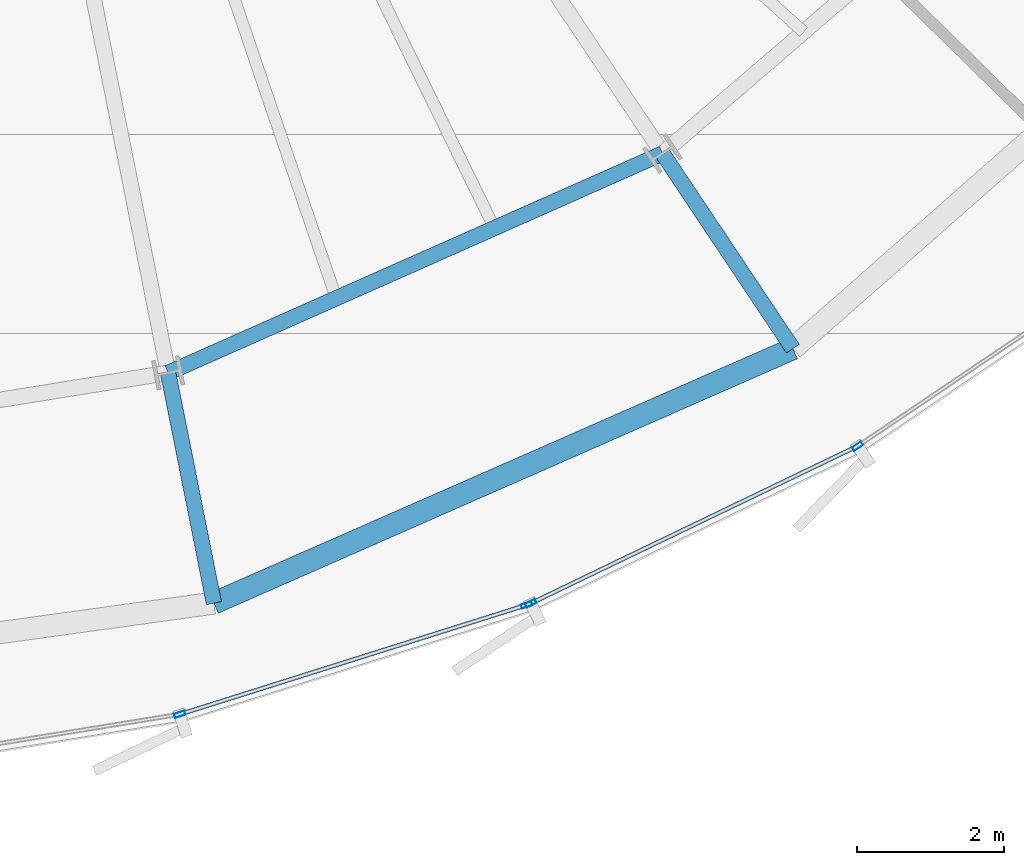
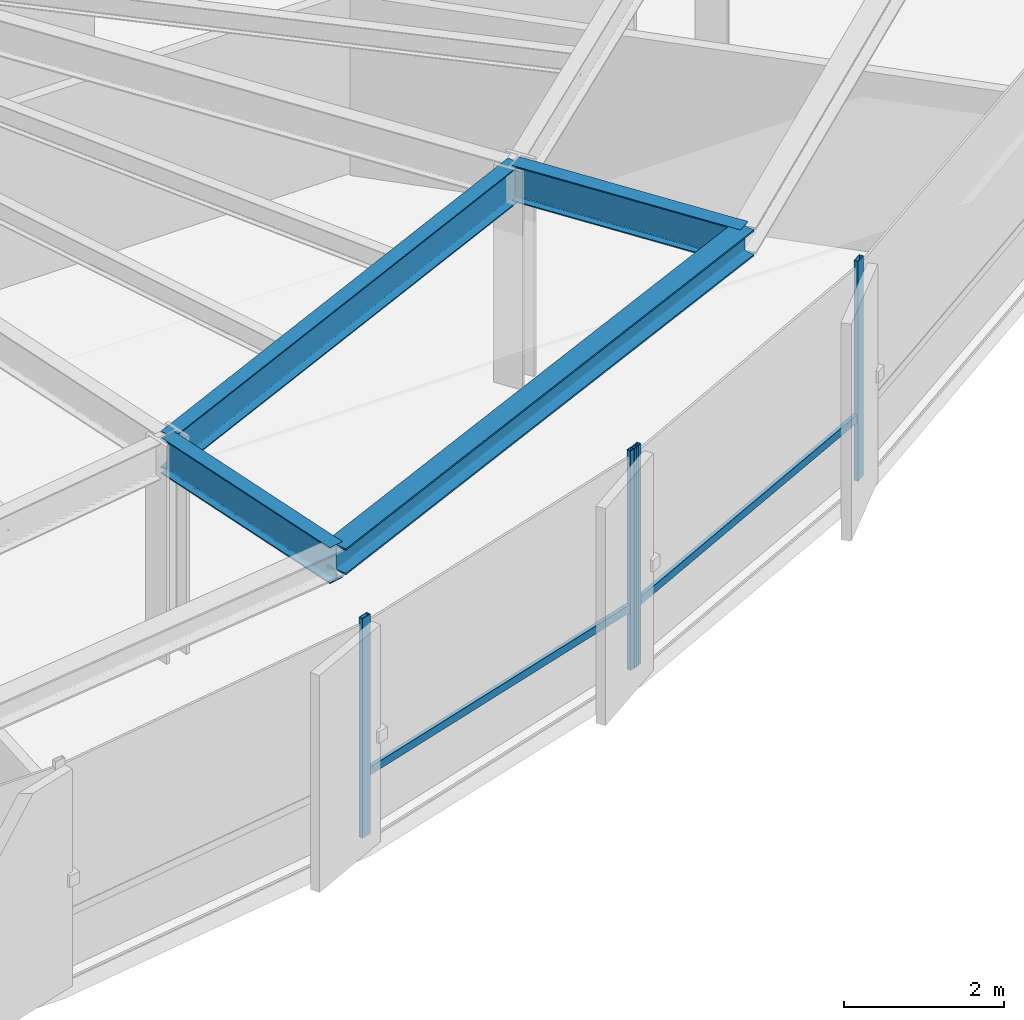
# One storey, part 11 of 35: 6 members, 4 beams, 2 elements without a shape of their own.
"""IFC4 building model written with IfcOpenShell, lengths in metres."""

import ifcopenshell
import ifcopenshell.guid

model = None  # the IFC model being written
_history = None  # IfcOwnerHistory: only IFC2X3 demands one
_inside = {}  # id of a spatial element -> (the spatial element, [elements in it])
_under = {}  # id of a project, library or spatial element -> (it, [spatial elements below it])
_declared = {}  # id of a project -> (the project, [libraries it declares])
_typed = {}  # id of a type object -> (the type object, [elements of that type])
_made_of = {}  # id of a material, layer set ... -> (it, [elements and type objects made of it])


def new_model(schema):
    """Start an empty IFC model of exactly this schema.

    Asked for "IFC4X3", IfcOpenShell would pick the latest addendum, in which some entities
    have other attributes; the version numbers below select the first issue.
    IFC2X3 requires an IfcOwnerHistory on every rooted entity: one is made here for all.
    """
    global model, _history
    if schema == "IFC4X3":
        model = ifcopenshell.file(schema_version=(4, 3, 0, 0))
    else:
        model = ifcopenshell.file(schema=schema)
    _inside.clear()
    _under.clear()
    _declared.clear()
    _typed.clear()
    _made_of.clear()
    _history = None
    if model.schema == "IFC2X3":
        org = make("IfcOrganization", Name="unknown")
        user = make(
            "IfcPersonAndOrganization",
            ThePerson=make("IfcPerson", FamilyName="unknown"),
            TheOrganization=org,
        )
        app = make(
            "IfcApplication",
            ApplicationDeveloper=org,
            Version="unknown",
            ApplicationFullName="unknown",
            ApplicationIdentifier="unknown",
        )
        _history = make(
            "IfcOwnerHistory",
            OwningUser=user,
            OwningApplication=app,
            ChangeAction="ADDED",
            CreationDate=0,
        )
    return model


def make(cls, **values):
    """One entity of the class cls with the attributes given. An attribute that is None is left unset."""
    return model.create_entity(
        cls, **{name: value for name, value in values.items() if value is not None}
    )


def rooted(cls, **values):
    """An entity with a GlobalId (a new one), such as an element, a storey or a relation."""
    return make(cls, GlobalId=ifcopenshell.guid.new(), OwnerHistory=_history, **values)


def si_unit(unit_type, name, prefix=None):
    """IfcSIUnit, for example si_unit("LENGTHUNIT", "METRE", prefix="MILLI")."""
    return make("IfcSIUnit", UnitType=unit_type, Prefix=prefix, Name=name)


def assignment(units):
    """IfcUnitAssignment: the units of a project."""
    return None if units is None else make("IfcUnitAssignment", Units=units)


def point(xyz):
    """IfcCartesianPoint."""
    return None if xyz is None else make("IfcCartesianPoint", Coordinates=xyz)


def direction(xyz):
    """IfcDirection."""
    return None if xyz is None else make("IfcDirection", DirectionRatios=xyz)


def frame(location, z_axis=None, x_axis=None):
    """IfcAxis2Placement3D, a coordinate frame: its origin and axes. An axis left out is left unset."""
    return make(
        "IfcAxis2Placement3D",
        Location=point(location),
        Axis=direction(z_axis),
        RefDirection=direction(x_axis),
    )


def frame_2d(location, x_axis=None):
    """IfcAxis2Placement2D, a coordinate frame in the plane: its origin and x axis."""
    return make(
        "IfcAxis2Placement2D", Location=point(location), RefDirection=direction(x_axis)
    )


def origin():
    """The frame at (0, 0, 0) with its axes left unset."""
    return frame((0.0, 0.0, 0.0))


def origin_2d():
    """The frame at (0, 0) in the plane with its x axis left unset."""
    return frame_2d((0.0, 0.0))


def place(relative_to, where):
    """IfcLocalPlacement: puts the frame where relative to a parent placement (None: the world)."""
    return make(
        "IfcLocalPlacement", PlacementRelTo=relative_to, RelativePlacement=where
    )


def context(
    kind, dimensions, precision=None, world=None, true_north=None, identifier=None
):
    """IfcGeometricRepresentationContext, for example the 3D "Model" context."""
    return make(
        "IfcGeometricRepresentationContext",
        ContextIdentifier=identifier,
        ContextType=kind,
        CoordinateSpaceDimension=dimensions,
        Precision=precision,
        WorldCoordinateSystem=world,
        TrueNorth=true_north,
    )


def subcontext(parent, identifier, kind, view, scale=None):
    """IfcGeometricRepresentationSubContext, for example "Body" below "Model"."""
    return make(
        "IfcGeometricRepresentationSubContext",
        ContextIdentifier=identifier,
        ContextType=kind,
        ParentContext=parent,
        TargetScale=scale,
        TargetView=view,
    )


def project(units=None, contexts=None):
    """IfcProject with its units and contexts."""
    return rooted(
        "IfcProject",
        Name="project",
        RepresentationContexts=contexts,
        UnitsInContext=assignment(units),
    )


def spatial(cls, under=None, at=None, **own):
    """A site, building, storey or space (cls), placed at a placement, below another one or the project."""
    s = rooted(cls, ObjectPlacement=at, **own)
    if under is not None:
        _under.setdefault(under.id(), (under, []))[1].append(s)
    return s


def profile(cls, at=None, kind="AREA", **sizes):
    """A parametric profile (cls). Its sizes go by their IFC names, for example OverallWidth=200.0."""
    return make(cls, ProfileType=kind, Position=at, **sizes)


def hollow_rectangle(**sizes):
    """IfcRectangleHollowProfileDef."""
    return profile("IfcRectangleHollowProfileDef", **sizes)


def i_section(**sizes):
    """IfcIShapeProfileDef."""
    return profile("IfcIShapeProfileDef", **sizes)


def extrude(swept, where, along, depth):
    """IfcExtrudedAreaSolid: the profile swept, set in the frame where, extruded along a direction by depth."""
    return make(
        "IfcExtrudedAreaSolid",
        SweptArea=swept,
        Position=where,
        ExtrudedDirection=direction(along),
        Depth=depth,
    )


def shape(context_of_items, identifier, shape_type, items):
    """IfcShapeRepresentation: the items that make up one representation, for example the "Body"."""
    return make(
        "IfcShapeRepresentation",
        ContextOfItems=context_of_items,
        RepresentationIdentifier=identifier,
        RepresentationType=shape_type,
        Items=items,
    )


def source(mapping_origin, context_of_items, identifier, shape_type, items):
    """IfcRepresentationMap: a shape defined once, which mapped items show again and again."""
    return make(
        "IfcRepresentationMap",
        MappingOrigin=mapping_origin,
        MappedRepresentation=shape(context_of_items, identifier, shape_type, items),
    )


def transform(
    local_origin,
    x_axis=None,
    y_axis=None,
    z_axis=None,
    scale=None,
    scale2=None,
    scale3=None,
    uniform=True,
):
    """IfcCartesianTransformationOperator3D, or its non-uniform kind. x_axis, y_axis, z_axis: its Axis1, 2, 3."""
    if uniform:
        return make(
            "IfcCartesianTransformationOperator3D",
            Axis1=direction(x_axis),
            Axis2=direction(y_axis),
            LocalOrigin=point(local_origin),
            Scale=scale,
            Axis3=direction(z_axis),
        )
    return make(
        "IfcCartesianTransformationOperator3DnonUniform",
        Axis1=direction(x_axis),
        Axis2=direction(y_axis),
        LocalOrigin=point(local_origin),
        Scale=scale,
        Axis3=direction(z_axis),
        Scale2=scale2,
        Scale3=scale3,
    )


def mapped(mapping_source, mapping_target):
    """IfcMappedItem: shows the shape of a source again, moved by a transform."""
    return make(
        "IfcMappedItem", MappingSource=mapping_source, MappingTarget=mapping_target
    )


def material(Name=None, Category=None):
    """IfcMaterial."""
    return make("IfcMaterial", Name=Name, Category=Category)


def layer(
    of_material, thickness, ventilated=None, Name=None, Category=None, Priority=None
):
    """IfcMaterialLayer: one layer of a wall or slab, of a material (None: an air gap)."""
    return make(
        "IfcMaterialLayer",
        Material=of_material,
        LayerThickness=thickness,
        IsVentilated=ventilated,
        Name=Name,
        Category=Category,
        Priority=Priority,
    )


def layer_set(layers, Name=None):
    """IfcMaterialLayerSet."""
    return make("IfcMaterialLayerSet", MaterialLayers=layers, LayerSetName=Name)


def material_profile(
    of_material, cross_section, Name=None, Category=None, Priority=None
):
    """IfcMaterialProfile: a cross section and its material."""
    return make(
        "IfcMaterialProfile",
        Name=Name,
        Material=of_material,
        Profile=cross_section,
        Priority=Priority,
        Category=Category,
    )


def profile_set(profiles, Name=None, composite=None):
    """IfcMaterialProfileSet."""
    return make(
        "IfcMaterialProfileSet",
        Name=Name,
        MaterialProfiles=profiles,
        CompositeProfile=composite,
    )


def made_of(thing, what):
    """Note that an element or type object is made of a material, layer set ...; save() writes the relation."""
    if what is not None:
        _made_of.setdefault(what.id(), (what, []))[1].append(thing)
    return thing


def type_object(cls, material=None, **own):
    """A type object (cls), such as IfcWallType, which elements share."""
    return made_of(rooted(cls, **own), material)


def element(
    cls,
    number,
    at=None,
    inside=None,
    cuts=None,
    type_object=None,
    material=None,
    context=None,
    identifier="Body",
    shape_type=None,
    held_by="IfcProductDefinitionShape",
    body=None,
    shapes=None,
    **own,
):
    """One element of the class cls, such as IfcWall. Its Tag is "e" and its number.

    at: its placement. inside: the storey or other place that contains it. cuts: it is an
    opening in that element (IfcRelVoidsElement). A single representation is given by context,
    identifier, shape_type and body (its items); several are given by shapes. held_by: the class
    of the entity that holds the representations. save() writes the other relations.
    """
    e = rooted(cls, Tag="e%d" % number, ObjectPlacement=at, **own)
    if body is not None:
        shapes = [shape(context, identifier, shape_type, body)]
    if shapes is not None:
        e.Representation = make(held_by, Representations=shapes)
    if inside is not None:
        _inside.setdefault(inside.id(), (inside, []))[1].append(e)
    if cuts is not None:
        rooted(
            "IfcRelVoidsElement", RelatingBuildingElement=cuts, RelatedOpeningElement=e
        )
    if type_object is not None:
        _typed.setdefault(type_object.id(), (type_object, []))[1].append(e)
    return made_of(e, material)


def aggregate(whole, parts):
    """IfcRelAggregates: a whole, such as a stair, and the parts it consists of."""
    return rooted("IfcRelAggregates", RelatingObject=whole, RelatedObjects=parts)


def save(model, path):
    """Write the relations noted so far, then the file.

    IfcRelAggregates (storeys below a building ...), IfcRelContainedInSpatialStructure (elements
    in a storey), IfcRelDefinesByType, IfcRelAssociatesMaterial and IfcRelDeclares: one each for
    every whole, place, type object, material and project.
    """
    for whole, parts in _under.values():
        aggregate(whole, parts)
    for where, things in _inside.values():
        rooted(
            "IfcRelContainedInSpatialStructure",
            RelatedElements=things,
            RelatingStructure=where,
        )
    for kind, things in _typed.values():
        rooted("IfcRelDefinesByType", RelatedObjects=things, RelatingType=kind)
    for what, things in _made_of.values():
        rooted("IfcRelAssociatesMaterial", RelatedObjects=things, RelatingMaterial=what)
    for by, libraries in _declared.values():
        rooted("IfcRelDeclares", RelatingContext=by, RelatedDefinitions=libraries)
    model.write(path)


model = new_model("IFC4")

# Units and contexts
model_context = context("Model", 3, precision=1e-05, world=origin(), true_north=direction((0.0, 1.0)))
body_context = subcontext(model_context, "Body", "Model", "MODEL_VIEW")
ifc_project = project(units=[si_unit("LENGTHUNIT", "METRE"), si_unit("AREAUNIT", "SQUARE_METRE"), si_unit("VOLUMEUNIT", "CUBIC_METRE"), si_unit("PLANEANGLEUNIT", "RADIAN"), si_unit("MASSUNIT", "GRAM", prefix="KILO"), si_unit("THERMODYNAMICTEMPERATUREUNIT", "KELVIN")], contexts=[model_context])

# Site, building, storey
site_placement = place(None, origin())
site = spatial("IfcSite", under=ifc_project, at=site_placement, CompositionType="ELEMENT")
building_placement = place(site_placement, origin())
building = spatial("IfcBuilding", under=site, at=building_placement, Name="Kethvar Cultural Tower", CompositionType="ELEMENT")
storey_placement = place(building_placement, frame((0.0, 0.0, 121.60009765625)))
storey = spatial("IfcBuildingStorey", under=building, at=storey_placement, Name="L30", CompositionType="ELEMENT", Elevation=121.60009765625)

# Beams
ifc_material_1 = material(Name="Steel S355J2", Category="steel")
ifc_material_profile_1 = material_profile(ifc_material_1, i_section(OverallWidth=0.2099609375, OverallDepth=0.550048828125, WebThickness=0.010986328125, FlangeThickness=0.01708984375, FilletRadius=0.02392578125, at=origin_2d()), Name="Steel S355J2 — IPE550")
ifc_profile_set_1 = profile_set([ifc_material_profile_1], Name="Steel S355J2 — IPE550")
beam_type_1 = type_object("IfcBeamType", Name="BM-IPE550", PredefinedType="BEAM", material=ifc_profile_set_1)
shared_shape_1 = source(origin(), body_context, "Body", "SweptSolid", [
    extrude(i_section(OverallWidth=0.2099609375, OverallDepth=0.550048828125, WebThickness=0.010986328125, FlangeThickness=0.01708984375, FilletRadius=0.02392578125, at=origin_2d()), origin(), (0.0, 0.0, 1.0), 3.199951171875),
])
beam_1_placement = place(storey_placement, frame((57.241943359375, 12.17236328125, 3.072998046875), z_axis=(0.555580212716, -0.831462943996, 0.0), x_axis=(0.831462943996, 0.555580212716, 0.0)))
element("IfcBeam", 1, at=beam_1_placement, inside=storey, type_object=beam_type_1, Name="L30 Perimeter Cantilever Beam RC-14", PredefinedType="BEAM", context=body_context, shape_type="MappedRepresentation", body=[
    mapped(shared_shape_1, transform((0.0, 0.0, 0.0), scale=1.0)),
])
shared_shape_2 = source(origin(), body_context, "Body", "SweptSolid", [
    extrude(i_section(OverallWidth=0.2099609375, OverallDepth=0.550048828125, WebThickness=0.010986328125, FlangeThickness=0.01708984375, FilletRadius=0.02392578125, at=origin_2d()), origin(), (0.0, 0.0, 1.0), 3.2001953125),
])
beam_2_placement = place(storey_placement, frame((50.50341796875, 9.182373046875, 3.072998046875), z_axis=(0.195074368086, -0.980788453702, 0.0), x_axis=(0.980788453702, 0.195074368086, 0.0)))
element("IfcBeam", 2, at=beam_2_placement, inside=storey, type_object=beam_type_1, Name="L30 Perimeter Cantilever Beam RC-13", PredefinedType="BEAM", context=body_context, shape_type="MappedRepresentation", body=[
    mapped(shared_shape_2, transform((0.0, 0.0, 0.0), scale=1.0)),
])
shared_shape_3 = source(origin(), body_context, "Body", "SweptSolid", [
    extrude(i_section(OverallWidth=0.2099609375, OverallDepth=0.550048828125, WebThickness=0.010986328125, FlangeThickness=0.01708984375, FilletRadius=0.02392578125, at=origin_2d()), origin(), (0.0, 0.0, 1.0), 7.3720703125),
])
beam_3_placement = place(storey_placement, frame((50.50341796875, 9.182373046875, 3.072998046875), z_axis=(0.914058560918, 0.405582232367, 0.0), x_axis=(-0.405582232367, 0.914058560918, 0.0)))
element("IfcBeam", 3, at=beam_3_placement, inside=storey, type_object=beam_type_1, Name="L30 Column Ring Tie Beam CR-13", PredefinedType="BEAM", context=body_context, shape_type="MappedRepresentation", body=[
    mapped(shared_shape_3, transform((0.0, 0.0, 0.0), scale=1.0)),
])
ifc_material_profile_2 = material_profile(ifc_material_1, i_section(OverallWidth=0.300048828125, OverallDepth=0.39990234375, WebThickness=0.013427734375, FlangeThickness=0.02392578125, FilletRadius=0.027099609375, at=origin_2d()), Name="Steel S355J2 — HEB400")
ifc_profile_set_2 = profile_set([ifc_material_profile_2], Name="Steel S355J2 — HEB400")
beam_type_2 = type_object("IfcBeamType", Name="BM-SP400", PredefinedType="SPANDREL", material=ifc_profile_set_2)
shared_shape_4 = source(origin(), body_context, "Body", "SweptSolid", [
    extrude(i_section(OverallWidth=0.300048828125, OverallDepth=0.39990234375, WebThickness=0.013427734375, FlangeThickness=0.02392578125, FilletRadius=0.027099609375, at=origin_2d()), origin(), (0.0, 0.0, 1.0), 8.620361328125),
])
beam_4_placement = place(storey_placement, frame((51.127685546875, 6.043701171875, 3.14794921875), z_axis=(0.915507442902, 0.402301034041, 0.0), x_axis=(-0.402301034041, 0.915507442902, 0.0)))
element("IfcBeam", 4, at=beam_4_placement, inside=storey, type_object=beam_type_2, Name="L30 Perimeter Spandrel Beam SP-13", PredefinedType="SPANDREL", context=body_context, shape_type="MappedRepresentation", body=[
    mapped(shared_shape_4, transform((0.0, 0.0, 0.0), scale=1.0)),
])

# Curtain wall, members
ifc_material_2 = material(Name="Aluminium 6063-T6", Category="aluminium")
ifc_layer = layer(ifc_material_2, 0.179931640625, Name="Aluminium 6063-T6", Category="aluminium")
ifc_layer_set = layer_set([ifc_layer], Name="Aluminium 6063-T6 (180 mm)")
curtain_wall_type = type_object("IfcCurtainWallType", Name="CW-SYS-03-Z2", PredefinedType="NOTDEFINED", material=ifc_layer_set)
curtain_wall_1_placement = place(storey_placement, origin())
curtain_wall_1 = element("IfcCurtainWall", 5, at=curtain_wall_1_placement, inside=storey, type_object=curtain_wall_type, Name="L30 Curtain Wall Run 05", PredefinedType="NOTDEFINED")
ifc_material_profile_3 = material_profile(ifc_material_2, hollow_rectangle(XDim=0.06005859375, YDim=0.14990234375, WallThickness=0.0048828125, at=origin_2d()), Name="Aluminium 6063-T6 — RHS150x60x5")
ifc_profile_set_3 = profile_set([ifc_material_profile_3], Name="Aluminium 6063-T6 — RHS150x60x5")
member_type_1 = type_object("IfcMemberType", Name="CW-SYS-03-Z2-MUL", PredefinedType="MULLION", material=ifc_profile_set_3)
shared_shape_5 = source(origin(), body_context, "Body", "SweptSolid", [
    extrude(hollow_rectangle(XDim=0.06005859375, YDim=0.14990234375, WallThickness=0.0048828125, at=origin_2d()), origin(), (0.0, 0.0, 1.0), 3.349853515625),
])
member_1_placement = place(storey_placement, frame((50.661865234375, 4.52783203125, 0.0), z_axis=(0.0, 0.0, 1.0), x_axis=(-0.300655862589, 0.95373269436, 0.0)))
member_1 = element("IfcMember", 6, at=member_1_placement, type_object=member_type_1, Name="CW-L30-R05 Mullion 6", PredefinedType="MULLION", context=body_context, shape_type="MappedRepresentation", body=[
    mapped(shared_shape_5, transform((0.0, 0.0, 0.0), scale=1.0)),
])
member_2_placement = place(storey_placement, frame((55.390869140625, 6.0185546875, 0.0), z_axis=(0.0, 0.0, 1.0), x_axis=(-0.300655862589, 0.95373269436, 0.0)))
member_2 = element("IfcMember", 7, at=member_2_placement, type_object=member_type_1, Name="CW-L30-R05 Mullion 7", PredefinedType="MULLION", context=body_context, shape_type="MappedRepresentation", body=[
    mapped(shared_shape_5, transform((0.0, 0.0, 0.0), scale=1.0)),
])

curtain_wall_2_placement = place(storey_placement, origin())
curtain_wall_2 = element("IfcCurtainWall", 8, at=curtain_wall_2_placement, inside=storey, type_object=curtain_wall_type, Name="L30 Curtain Wall Run 06", PredefinedType="NOTDEFINED")
member_3_placement = place(storey_placement, frame((55.447998046875, 6.041015625, 0.0), z_axis=(0.0, 0.0, 1.0), x_axis=(-0.433706264276, 0.90105431375, 0.0)))
member_3 = element("IfcMember", 9, at=member_3_placement, type_object=member_type_1, Name="CW-L30-R06 Mullion 1", PredefinedType="MULLION", context=body_context, shape_type="MappedRepresentation", body=[
    mapped(shared_shape_5, transform((0.0, 0.0, 0.0), scale=1.0)),
])
member_4_placement = place(storey_placement, frame((59.9013671875, 8.183349609375, 0.0), z_axis=(0.0, 0.0, 1.0), x_axis=(-0.559019257984, 0.829154671459, 0.0)))
member_4 = element("IfcMember", 10, at=member_4_placement, type_object=member_type_1, Name="CW-L30-R06 Mullion 2", PredefinedType="MULLION", context=body_context, shape_type="MappedRepresentation", body=[
    mapped(shared_shape_5, transform((0.0, 0.0, 0.0), scale=1.0)),
])

# Member
ifc_material_profile_4 = material_profile(ifc_material_2, hollow_rectangle(XDim=0.054931640625, YDim=0.1201171875, WallThickness=0.00390625, at=origin_2d()), Name="Aluminium 6063-T6 — RHS120x55x4")
ifc_profile_set_4 = profile_set([ifc_material_profile_4], Name="Aluminium 6063-T6 — RHS120x55x4")
member_type_2 = type_object("IfcMemberType", Name="CW-SYS-03-Z2-TRN", PredefinedType="USERDEFINED", material=ifc_profile_set_4)
shared_shape_6 = source(origin(), body_context, "Body", "SweptSolid", [
    extrude(hollow_rectangle(XDim=0.054931640625, YDim=0.1201171875, WallThickness=0.00390625, at=origin_2d()), origin(), (0.0, 0.0, 1.0), 4.910888671875),
])
member_5_placement = place(storey_placement, frame((50.703125, 4.540771484375, 0.949951171875), z_axis=(0.953726816001, 0.300674509131, 0.0), x_axis=(-0.300674509131, 0.953726816001, 0.0)))
member_5 = element("IfcMember", 11, at=member_5_placement, type_object=member_type_2, Name="CW-L30-R05 Transom 6", ObjectType="TRANSOM", PredefinedType="USERDEFINED", context=body_context, shape_type="MappedRepresentation", body=[
    mapped(shared_shape_6, transform((0.0, 0.0, 0.0), scale=1.0)),
])

aggregate(curtain_wall_1, [member_1, member_2, member_5])

member_6_placement = place(storey_placement, frame((55.45166015625, 6.04296875, 0.949951171875), z_axis=(0.901057078007, 0.433700521298, 0.0), x_axis=(-0.433700521298, 0.901057078007, 0.0)))
member_6 = element("IfcMember", 12, at=member_6_placement, type_object=member_type_2, Name="CW-L30-R06 Transom 1", ObjectType="TRANSOM", PredefinedType="USERDEFINED", context=body_context, shape_type="MappedRepresentation", body=[
    mapped(shared_shape_6, transform((0.0, 0.0, 0.0), scale=1.0)),
])

aggregate(curtain_wall_2, [member_3, member_4, member_6])

save(model, "model.ifc")
